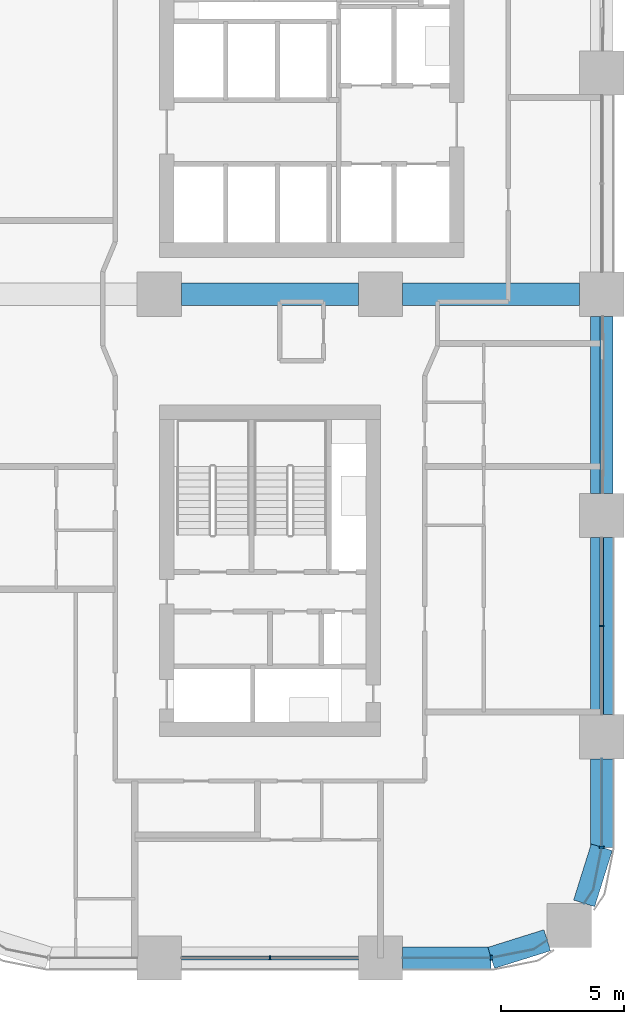
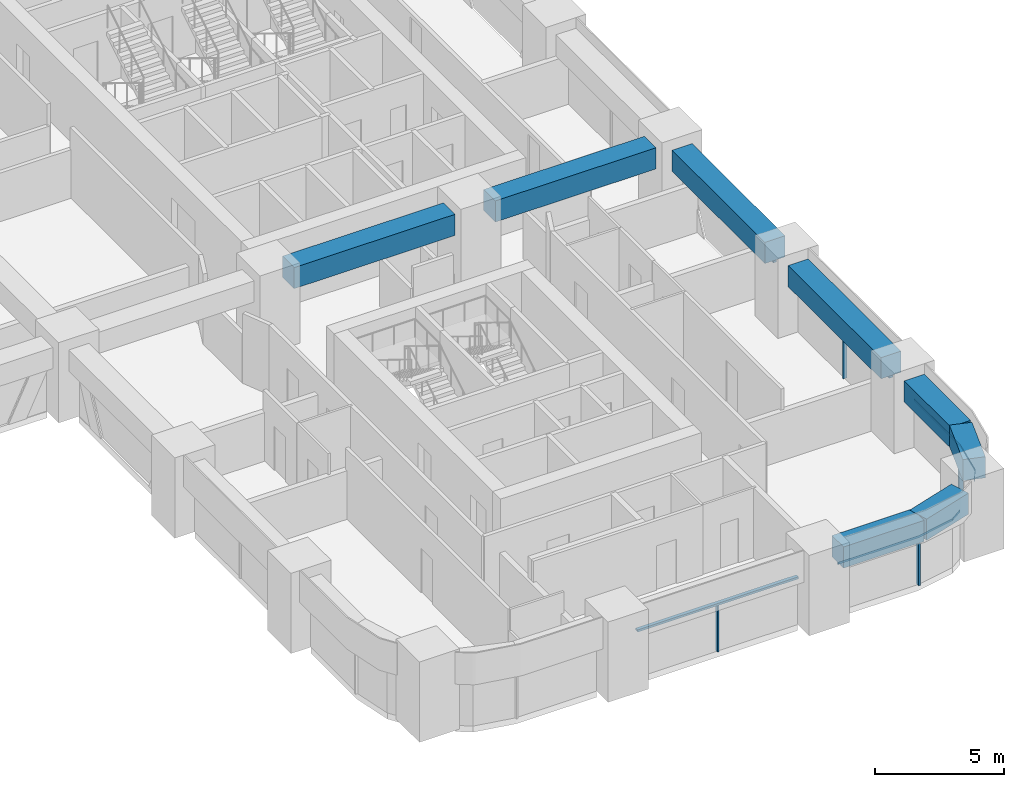
# One storey, part 5 of 20: 9 members, 8 beams, 5 elements without a shape of their own.
"""IFC4 building model written with IfcOpenShell, lengths in metres."""

from ifc_helpers import new_model, si_unit, direction, frame, origin, origin_2d, place, context, subcontext, project, spatial, polyline, rectangle, outline, extrude, material, material_profile, profile_set, type_object, element, aggregate, save


model = new_model("IFC4")

# Units and contexts
model_context = context("Model", 3, precision=1e-05, world=origin(), true_north=direction((0.0, 1.0)))
body_context = subcontext(model_context, "Body", "Model", "MODEL_VIEW")
ifc_project = project(units=[si_unit("LENGTHUNIT", "METRE"), si_unit("AREAUNIT", "SQUARE_METRE"), si_unit("VOLUMEUNIT", "CUBIC_METRE"), si_unit("PLANEANGLEUNIT", "RADIAN"), si_unit("MASSUNIT", "GRAM", prefix="KILO")], contexts=[model_context])

# Site, building, storey
site_placement = place(None, origin())
site = spatial("IfcSite", under=ifc_project, at=site_placement, CompositionType="ELEMENT")
building_placement = place(site_placement, origin())
building = spatial("IfcBuilding", under=site, at=building_placement, Name="Tessera Arch", CompositionType="ELEMENT")
storey_placement = place(building_placement, frame((0.0, 0.0, 119.60009765625)))
storey = spatial("IfcBuildingStorey", under=building, at=storey_placement, Name="L28", CompositionType="ELEMENT", Elevation=119.60009765625)

# Curtain wall, member
ifc_material_1 = material(Name="CW1 curtain wall")
curtain_wall_type_1 = type_object("IfcCurtainWallType", Name="CW1 curtain wall", PredefinedType="NOTDEFINED", material=ifc_material_1)
curtain_wall_1_placement = place(storey_placement, origin())
curtain_wall_1 = element("IfcCurtainWall", 1, at=curtain_wall_1_placement, inside=storey, type_object=curtain_wall_type_1, Name="CW1 curtain wall S0.27/1 L28", PredefinedType="NOTDEFINED")
ifc_material_2 = material(Name="Anodised aluminium pale metal", Category="aluminium")
ifc_material_profile_1 = material_profile(ifc_material_2, rectangle(XDim=0.159912109375, YDim=0.06005859375, at=origin_2d()), Name="AL 60x160")
ifc_profile_set_1 = profile_set([ifc_material_profile_1], Name="Anodised aluminium pale metal")
member_type_1 = type_object("IfcMemberType", Name="CW1 mullion", PredefinedType="MULLION", material=ifc_profile_set_1)
member_1_placement = place(storey_placement, frame((40.5, 0.0, 0.0), z_axis=(0.0, 0.0, 1.0), x_axis=(0.0, 1.0, 0.0)))
member_1 = element("IfcMember", 2, at=member_1_placement, type_object=member_type_1, Name="CW1 mullion S0.27/1 1", PredefinedType="MULLION", context=body_context, shape_type="SweptSolid", body=[
    extrude(rectangle(XDim=0.159912109375, YDim=0.06005859375, at=origin_2d()), origin(), (0.0, 0.0, 1.0), 2.199951171875),
])

curtain_wall_2_placement = place(storey_placement, origin())
curtain_wall_2 = element("IfcCurtainWall", 3, at=curtain_wall_2_placement, inside=storey, type_object=curtain_wall_type_1, Name="CW1 curtain wall E54.0/1 L28", PredefinedType="NOTDEFINED")
member_2_placement = place(storey_placement, frame((54.0, 13.5, 0.0), z_axis=(0.0, 0.0, 1.0), x_axis=(-1.0, 0.0, 0.0)))
member_2 = element("IfcMember", 4, at=member_2_placement, type_object=member_type_1, Name="CW1 mullion E54.0/1 1", PredefinedType="MULLION", context=body_context, shape_type="SweptSolid", body=[
    extrude(rectangle(XDim=0.159912109375, YDim=0.06005859375, at=origin_2d()), origin(), (0.0, 0.0, 1.0), 2.199951171875),
])

# Member
ifc_material_3 = material(Name="Anodised aluminium pale metal", Category="aluminium")
ifc_material_profile_2 = material_profile(ifc_material_3, rectangle(XDim=0.159912109375, YDim=0.10009765625, at=origin_2d()), Name="AL 160x100")
ifc_profile_set_2 = profile_set([ifc_material_profile_2], Name="Anodised aluminium pale metal")
member_type_2 = type_object("IfcMemberType", Name="CW1 transom", PredefinedType="USERDEFINED", material=ifc_profile_set_2)
member_3_placement = place(storey_placement, frame((36.89990234375, 0.0, 2.25), z_axis=(1.0, 0.0, 0.0), x_axis=(0.0, 1.0, 0.0)))
member_3 = element("IfcMember", 5, at=member_3_placement, type_object=member_type_2, Name="CW1 transom S0.27/1 1.1", ObjectType="TRANSOM", PredefinedType="USERDEFINED", context=body_context, shape_type="SweptSolid", body=[
    extrude(rectangle(XDim=0.159912109375, YDim=0.10009765625, at=origin_2d()), origin(), (0.0, 0.0, 1.0), 7.2001953125),
])

aggregate(curtain_wall_1, [member_1, member_3])

member_4_placement = place(storey_placement, frame((54.0, 9.89990234375, 2.25), z_axis=(0.0, 1.0, 0.0), x_axis=(-1.0, 0.0, 0.0)))
member_4 = element("IfcMember", 6, at=member_4_placement, type_object=member_type_2, Name="CW1 transom E54.0/1 1.1", ObjectType="TRANSOM", PredefinedType="USERDEFINED", context=body_context, shape_type="SweptSolid", body=[
    extrude(rectangle(XDim=0.159912109375, YDim=0.10009765625, at=origin_2d()), origin(), (0.0, 0.0, 1.0), 7.2001953125),
])

aggregate(curtain_wall_2, [member_2, member_4])

# Curtain wall, member
ifc_material_4 = material(Name="CW2 curtain wall")
curtain_wall_type_2 = type_object("IfcCurtainWallType", Name="CW2 curtain wall", PredefinedType="NOTDEFINED", material=ifc_material_4)
curtain_wall_3_placement = place(storey_placement, origin())
curtain_wall_3 = element("IfcCurtainWall", 7, at=curtain_wall_3_placement, inside=storey, type_object=curtain_wall_type_2, Name="CW2 curtain wall S0.27/2 L28", PredefinedType="NOTDEFINED")
ifc_material_5 = material(Name="Anodised aluminium pale metal", Category="aluminium")
ifc_material_profile_3 = material_profile(ifc_material_5, rectangle(XDim=0.199951171875, YDim=0.080078125, at=origin_2d()), Name="AL 80x200")
ifc_profile_set_3 = profile_set([ifc_material_profile_3], Name="Anodised aluminium pale metal")
member_type_3 = type_object("IfcMemberType", Name="CW2 mullion", PredefinedType="MULLION", material=ifc_profile_set_3)
member_5_placement = place(storey_placement, frame((49.5, 0.0, 0.0), z_axis=(0.0, 0.0, 1.0), x_axis=(0.0, 1.0, 0.0)))
member_5 = element("IfcMember", 8, at=member_5_placement, type_object=member_type_3, Name="CW2 mullion S0.27/2 1", PredefinedType="MULLION", context=body_context, shape_type="SweptSolid", body=[
    extrude(rectangle(XDim=0.199951171875, YDim=0.080078125, at=origin_2d()), origin(), (0.0, 0.0, 1.0), 2.199951171875),
])

curtain_wall_4_placement = place(storey_placement, origin())
curtain_wall_4 = element("IfcCurtainWall", 9, at=curtain_wall_4_placement, inside=storey, type_object=curtain_wall_type_2, Name="CW2 curtain wall E54.0/0 L28", PredefinedType="NOTDEFINED")
member_6_placement = place(storey_placement, frame((54.0, 4.5, 0.0), z_axis=(0.0, 0.0, 1.0), x_axis=(-1.0, 0.0, 0.0)))
member_6 = element("IfcMember", 10, at=member_6_placement, type_object=member_type_3, Name="CW2 mullion E54.0/0 1", PredefinedType="MULLION", context=body_context, shape_type="SweptSolid", body=[
    extrude(rectangle(XDim=0.199951171875, YDim=0.080078125, at=origin_2d()), origin(), (0.0, 0.0, 1.0), 2.199951171875),
])

# Member
ifc_material_6 = material(Name="Anodised aluminium pale metal", Category="aluminium")
ifc_material_profile_4 = material_profile(ifc_material_6, rectangle(XDim=0.199951171875, YDim=0.10009765625, at=origin_2d()), Name="AL 200x100")
ifc_profile_set_4 = profile_set([ifc_material_profile_4], Name="Anodised aluminium pale metal")
member_type_4 = type_object("IfcMemberType", Name="CW2 transom", PredefinedType="USERDEFINED", material=ifc_profile_set_4)
member_7_placement = place(storey_placement, frame((0.0, 0.0, 2.199951171875)))
member_7 = element("IfcMember", 11, at=member_7_placement, type_object=member_type_4, Name="CW2 transom S0.27/2 1", ObjectType="TRANSOM", PredefinedType="USERDEFINED", context=body_context, shape_type="SweptSolid", body=[
    extrude(outline(polyline([(49.4990234375, 0.010009765625), (45.89990234375, 0.010009765625), (45.89990234375, -0.010009765625), (49.5009765625, -0.010009765625), (51.22607421875, 0.3330078125), (51.78759765625, 0.70849609375), (51.7763671875, 0.72509765625), (51.21826171875, 0.351806640625), (49.4990234375, 0.010009765625)])), origin(), (0.0, 0.0, 1.0), 0.099853515625),
])

aggregate(curtain_wall_3, [member_5, member_7])

member_8_placement = place(storey_placement, frame((0.0, 0.0, 2.199951171875)))
member_8 = element("IfcMember", 12, at=member_8_placement, type_object=member_type_4, Name="CW2 transom E54.0/0 1", ObjectType="TRANSOM", PredefinedType="USERDEFINED", context=body_context, shape_type="SweptSolid", body=[
    extrude(outline(polyline([(53.648193359375, 2.78173828125), (53.27490234375, 2.2236328125), (53.29150390625, 2.21240234375), (53.6669921875, 2.77392578125), (54.010009765625, 4.4990234375), (54.010009765625, 8.10009765625), (53.989990234375, 8.10009765625), (53.989990234375, 4.5009765625), (53.648193359375, 2.78173828125)])), origin(), (0.0, 0.0, 1.0), 0.099853515625),
])

aggregate(curtain_wall_4, [member_6, member_8])

# Curtain wall, member
ifc_material_7 = material(Name="CW3 curtain wall")
curtain_wall_type_3 = type_object("IfcCurtainWallType", Name="CW3 curtain wall", PredefinedType="NOTDEFINED", material=ifc_material_7)
curtain_wall_5_placement = place(storey_placement, origin())
curtain_wall_5 = element("IfcCurtainWall", 13, at=curtain_wall_5_placement, inside=storey, type_object=curtain_wall_type_3, Name="CW3 curtain wall E54.0/2 L28", PredefinedType="NOTDEFINED")
ifc_material_8 = material(Name="Anodised aluminium pale metal", Category="aluminium")
ifc_material_profile_5 = material_profile(ifc_material_8, rectangle(XDim=0.139892578125, YDim=0.10009765625, at=origin_2d()), Name="AL 140x100")
ifc_profile_set_5 = profile_set([ifc_material_profile_5], Name="Anodised aluminium pale metal")
member_type_5 = type_object("IfcMemberType", Name="CW3 transom", PredefinedType="USERDEFINED", material=ifc_profile_set_5)
member_9_placement = place(storey_placement, frame((54.0, 18.89990234375, 2.25), z_axis=(0.0, 1.0, 0.0), x_axis=(-1.0, 0.0, 0.0)))
member_9 = element("IfcMember", 14, at=member_9_placement, type_object=member_type_5, Name="CW3 transom E54.0/2 1.1", ObjectType="TRANSOM", PredefinedType="USERDEFINED", context=body_context, shape_type="SweptSolid", body=[
    extrude(rectangle(XDim=0.139892578125, YDim=0.10009765625, at=origin_2d()), origin(), (0.0, 0.0, 1.0), 7.2001953125),
])
aggregate(curtain_wall_5, [member_9])

# Beams
ifc_material_9 = material(Name="Concrete C80/95", Category="concrete")
ifc_material_profile_6 = material_profile(ifc_material_9, rectangle(XDim=0.89990234375, YDim=1.0, at=origin_2d()), Name="RC spandrel beam 900 x 1000 Concrete C80/95")
ifc_profile_set_6 = profile_set([ifc_material_profile_6], Name="Concrete C80/95")
beam_type = type_object("IfcBeamType", Name="RC spandrel beam 900 x 1000 Concrete C80/95", PredefinedType="BEAM", material=ifc_profile_set_6)
beam_1_placement = place(storey_placement, frame((45.89990234375, 0.0, 2.7998046875), z_axis=(1.0, 0.0, 0.0), x_axis=(0.0, 1.0, 0.0)))
element("IfcBeam", 15, at=beam_1_placement, inside=storey, type_object=beam_type, Name="Spandrel beam L28 S0.27/2.1", PredefinedType="BEAM", context=body_context, shape_type="SweptSolid", body=[
    extrude(rectangle(XDim=0.89990234375, YDim=1.0, at=origin_2d()), origin(), (0.0, 0.0, 1.0), 3.60009765625),
])
for number, where, z_axis, x_axis, name in (
    (16, (49.5, 0.0, 2.7998046875), (0.954041251279, 0.299675309057, 0.0), (-0.299675309057, 0.954041251279, 0.0), "Spandrel beam L28 S0.27/2.2"),
    (17, (53.283203125, 2.218017578125, 2.7998046875), (0.299675309057, 0.954041251279, 0.0), (-0.954041251279, 0.299675309057, 0.0), "Spandrel beam L28 E54.0/0.1"),
):
    element("IfcBeam", number, at=place(storey_placement, frame(where, z_axis=z_axis, x_axis=x_axis)), inside=storey, type_object=beam_type, Name=name, PredefinedType="BEAM", context=body_context, shape_type="SweptSolid", body=[
        extrude(rectangle(XDim=0.89990234375, YDim=1.0, at=origin_2d()), origin(), (0.0, 0.0, 1.0), 2.391845703125),
    ])
beam_2_placement = place(storey_placement, frame((54.0, 4.5, 2.7998046875), z_axis=(0.0, 1.0, 0.0), x_axis=(-1.0, 0.0, 0.0)))
element("IfcBeam", 18, at=beam_2_placement, inside=storey, type_object=beam_type, Name="Spandrel beam L28 E54.0/0.2", PredefinedType="BEAM", context=body_context, shape_type="SweptSolid", body=[
    extrude(rectangle(XDim=0.89990234375, YDim=1.0, at=origin_2d()), origin(), (0.0, 0.0, 1.0), 3.60009765625),
])
for number, where, z_axis, x_axis, name in (
    (19, (54.0, 9.89990234375, 2.7998046875), (0.0, 1.0, 0.0), (-1.0, 0.0, 0.0), "Spandrel beam L28 E54.0/1"),
    (20, (54.0, 18.89990234375, 2.7998046875), (0.0, 1.0, 0.0), (-1.0, 0.0, 0.0), "Spandrel beam L28 E54.0/2"),
    (21, (36.89990234375, 27.0, 2.7998046875), (1.0, 0.0, 0.0), (0.0, 1.0, 0.0), "Interface beam L28 I1C5D-C6D"),
    (22, (45.89990234375, 27.0, 2.7998046875), (1.0, 0.0, 0.0), (0.0, 1.0, 0.0), "Interface beam L28 I1C6D-C7D"),
):
    element("IfcBeam", number, at=place(storey_placement, frame(where, z_axis=z_axis, x_axis=x_axis)), inside=storey, type_object=beam_type, Name=name, PredefinedType="BEAM", context=body_context, shape_type="SweptSolid", body=[
        extrude(rectangle(XDim=0.89990234375, YDim=1.0, at=origin_2d()), origin(), (0.0, 0.0, 1.0), 7.2001953125),
    ])

save(model, "model.ifc")
